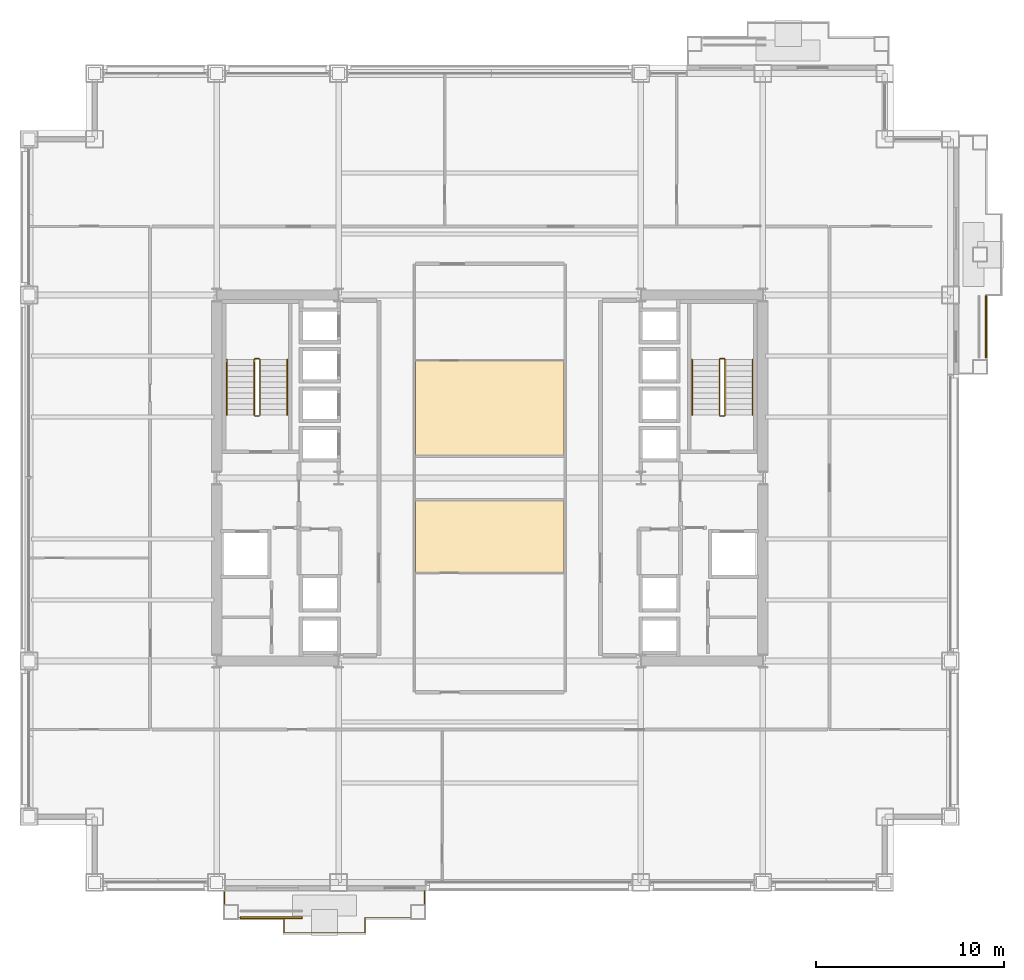
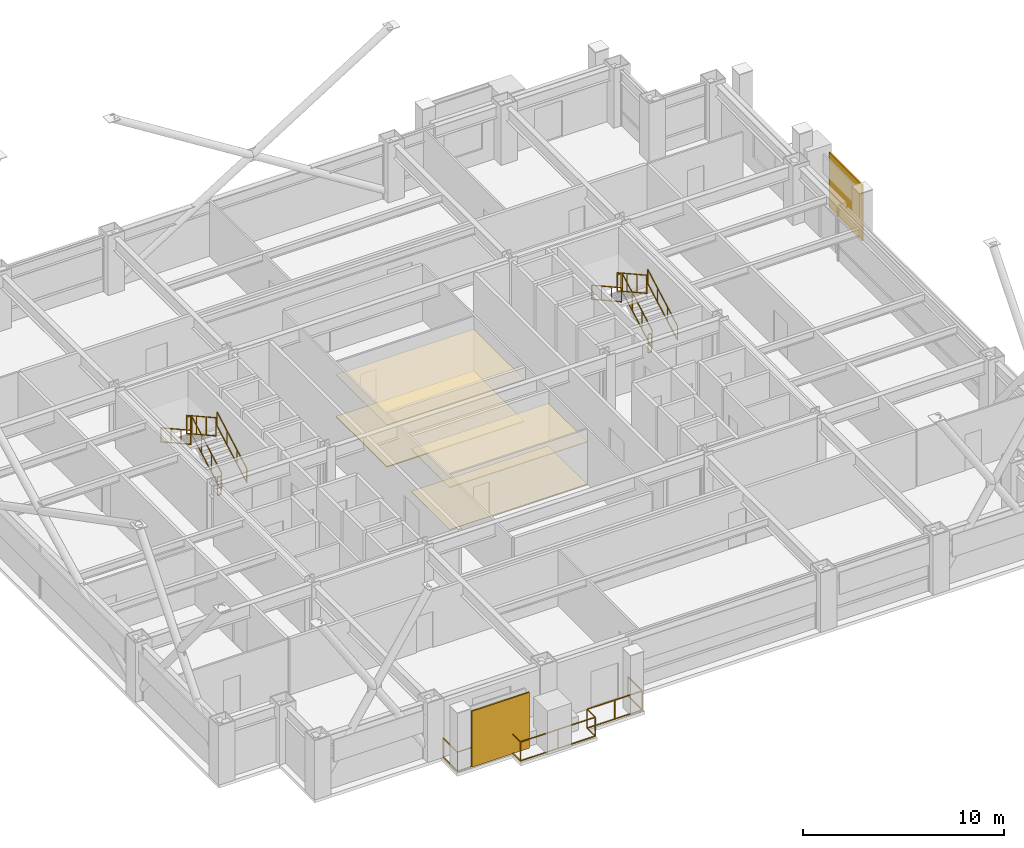
# One storey, part 31 of 33: 13 railings, 4 coverings, 2 shading devices.
"""IFC4 building model written with IfcOpenShell, lengths in metres."""

from ifc_helpers import new_model, si_unit, direction, frame, origin, origin_2d, place, context, subcontext, project, spatial, polyline, rectangle, outline, extrude, material, layer, layer_set, type_object, element, save


model = new_model("IFC4")

# Units and contexts
model_context = context("Model", 3, precision=1e-05, world=origin(), true_north=direction((0.0, 1.0)))
body_context = subcontext(model_context, "Body", "Model", "MODEL_VIEW")
ifc_project = project(units=[si_unit("LENGTHUNIT", "METRE"), si_unit("AREAUNIT", "SQUARE_METRE"), si_unit("VOLUMEUNIT", "CUBIC_METRE"), si_unit("PLANEANGLEUNIT", "RADIAN"), si_unit("MASSUNIT", "GRAM", prefix="KILO")], contexts=[model_context])

# Site, building, storey
site_placement = place(None, origin())
site = spatial("IfcSite", under=ifc_project, at=site_placement, CompositionType="ELEMENT")
building_placement = place(site_placement, origin())
building = spatial("IfcBuilding", under=site, at=building_placement, Name="Brelmoor Portico Tower", CompositionType="ELEMENT")
storey_placement = place(building_placement, frame((0.0, 0.0, 34.800048828125)))
storey = spatial("IfcBuildingStorey", under=building, at=storey_placement, Name="L08", CompositionType="ELEMENT", Elevation=34.800048828125)

# Coverings
ifc_material_1 = material(Name="Powder-Coated Aluminium Acoustic Baffle Ceiling", Category="aluminium")
ifc_layer_1 = layer(ifc_material_1, 0.044921875)
ifc_layer_set_1 = layer_set([ifc_layer_1], Name="Powder-Coated Aluminium Acoustic Baffle Ceiling")
covering_type_1 = type_object("IfcCoveringType", Name="CV-CEIL-BAFFLE-45", PredefinedType="CEILING", material=ifc_layer_set_1)
covering_1_placement = place(storey_placement, frame((0.0, 0.0, 2.550048828125)))
element("IfcCovering", 1, at=covering_1_placement, inside=storey, type_object=covering_type_1, Name="L08 Acoustic Suspended Ceiling 01", PredefinedType="CEILING", context=body_context, shape_type="SweptSolid", body=[
    extrude(outline(polyline([(-3.9599609375, 1.199951171875), (-3.9599609375, 6.260009765625), (3.9599609375, 6.260009765625), (3.9599609375, 1.199951171875), (-3.9599609375, 1.199951171875)])), origin(), (0.0, 0.0, 1.0), 0.044921875),
])
ifc_material_2 = material(Name="Slatted FSC Oak Acoustic Feature Ceiling", Category="timber")
ifc_layer_2 = layer(ifc_material_2, 0.052001953125)
ifc_layer_set_2 = layer_set([ifc_layer_2], Name="Slatted FSC Oak Acoustic Feature Ceiling")
covering_type_2 = type_object("IfcCoveringType", Name="CV-CEIL-TIMBER-52", PredefinedType="CEILING", material=ifc_layer_set_2)
covering_2_placement = place(storey_placement, frame((0.0, 0.0, 2.550048828125)))
element("IfcCovering", 2, at=covering_2_placement, inside=storey, type_object=covering_type_2, Name="L08 Acoustic Suspended Ceiling 02", PredefinedType="CEILING", context=body_context, shape_type="SweptSolid", body=[
    extrude(outline(polyline([(-3.9599609375, -5.06005859375), (-3.9599609375, -1.199951171875), (3.9599609375, -1.199951171875), (3.9599609375, -5.06005859375), (-3.9599609375, -5.06005859375)])), origin(), (0.0, 0.0, 1.0), 0.052001953125),
])
ifc_material_3 = material(Name="Calcium-Sulphate Raised Access Floor Panel", Category="steel")
ifc_layer_3 = layer(ifc_material_3, 0.06005859375)
ifc_layer_set_3 = layer_set([ifc_layer_3], Name="Calcium-Sulphate Raised Access Floor Panel")
covering_type_3 = type_object("IfcCoveringType", Name="CV-FLR-ACCESS-60", PredefinedType="FLOORING", material=ifc_layer_set_3)
covering_3_placement = place(storey_placement, origin())
element("IfcCovering", 3, at=covering_3_placement, inside=storey, type_object=covering_type_3, Name="L08 Architectural Floor Finish 01", PredefinedType="FLOORING", context=body_context, shape_type="SweptSolid", body=[
    extrude(outline(polyline([(-3.9599609375, 1.199951171875), (-3.9599609375, 6.260009765625), (3.9599609375, 6.260009765625), (3.9599609375, 1.199951171875), (-3.9599609375, 1.199951171875)])), origin(), (0.0, 0.0, 1.0), 0.06005859375),
])
ifc_material_4 = material(Name="Solution-Dyed Nylon Acoustic Carpet Tile", Category="textile")
ifc_layer_4 = layer(ifc_material_4, 0.013916015625)
ifc_layer_set_4 = layer_set([ifc_layer_4], Name="Solution-Dyed Nylon Acoustic Carpet Tile")
covering_type_4 = type_object("IfcCoveringType", Name="CV-FLR-CARPET-14", PredefinedType="FLOORING", material=ifc_layer_set_4)
covering_4_placement = place(storey_placement, origin())
element("IfcCovering", 4, at=covering_4_placement, inside=storey, type_object=covering_type_4, Name="L08 Architectural Floor Finish 02", PredefinedType="FLOORING", context=body_context, shape_type="SweptSolid", body=[
    extrude(outline(polyline([(-3.9599609375, -5.06005859375), (-3.9599609375, -1.199951171875), (3.9599609375, -1.199951171875), (3.9599609375, -5.06005859375), (-3.9599609375, -5.06005859375)])), origin(), (0.0, 0.0, 1.0), 0.013916015625),
])

# Railings
ifc_material_5 = material(Name="Perforated Pale Champagne Aluminium Fretwork Guard", Category="aluminium")
railing_type_1 = type_object("IfcRailingType", Name="RL-BALUSTRADE-1200", PredefinedType="BALUSTRADE", material=ifc_material_5)
railing_1_placement = place(storey_placement, frame((-14.1201171875, -22.0, 0.0)))
element("IfcRailing", 5, at=railing_1_placement, inside=storey, type_object=railing_type_1, Name="L08 Tree Balcony Fretwork Balustrade S", PredefinedType="BALUSTRADE", context=body_context, shape_type="SweptSolid", body=[
    extrude(rectangle(XDim=0.048095703125, YDim=0.048095703125, at=origin_2d()), frame((0.0, 0.0, 1.17578125), z_axis=(0.0, -1.0, 0.0), x_axis=(1.0, 0.0, 0.0)), (0.0, 0.0, 1.0), 1.429931640625),
    extrude(rectangle(XDim=0.048095703125, YDim=0.048095703125, at=origin_2d()), frame((0.0, 0.0, 0.02392578125), z_axis=(0.0, -1.0, 0.0), x_axis=(1.0, 0.0, 0.0)), (0.0, 0.0, 1.0), 1.429931640625),
    extrude(rectangle(XDim=0.048095703125, YDim=0.048095703125, at=origin_2d()), frame((0.0, -1.429931640625, 1.17578125), z_axis=(1.0, 0.0, 0.0), x_axis=(0.0, 1.0, 0.0)), (0.0, 0.0, 1.0), 3.170166015625),
    extrude(rectangle(XDim=0.048095703125, YDim=0.048095703125, at=origin_2d()), frame((0.0, -1.429931640625, 0.02392578125), z_axis=(1.0, 0.0, 0.0), x_axis=(0.0, 1.0, 0.0)), (0.0, 0.0, 1.0), 3.170166015625),
    extrude(rectangle(XDim=0.048095703125, YDim=0.048095703125, at=origin_2d()), frame((3.170166015625, -1.429931640625, 1.17578125), z_axis=(0.0, -1.0, 0.0), x_axis=(1.0, 0.0, 0.0)), (0.0, 0.0, 1.0), 0.800048828125),
    extrude(rectangle(XDim=0.048095703125, YDim=0.048095703125, at=origin_2d()), frame((3.170166015625, -1.429931640625, 0.02392578125), z_axis=(0.0, -1.0, 0.0), x_axis=(1.0, 0.0, 0.0)), (0.0, 0.0, 1.0), 0.800048828125),
    extrude(rectangle(XDim=0.048095703125, YDim=0.048095703125, at=origin_2d()), frame((3.170166015625, -2.22998046875, 1.17578125), z_axis=(1.0, 0.0, 0.0), x_axis=(0.0, 1.0, 0.0)), (0.0, 0.0, 1.0), 4.300048828125),
    extrude(rectangle(XDim=0.048095703125, YDim=0.048095703125, at=origin_2d()), frame((3.170166015625, -2.22998046875, 0.02392578125), z_axis=(1.0, 0.0, 0.0), x_axis=(0.0, 1.0, 0.0)), (0.0, 0.0, 1.0), 4.300048828125),
    extrude(rectangle(XDim=0.048095703125, YDim=0.048095703125, at=origin_2d()), frame((7.47021484375, -2.22998046875, 1.17578125), z_axis=(0.0, 1.0, 0.0), x_axis=(-1.0, 0.0, 0.0)), (0.0, 0.0, 1.0), 0.800048828125),
    extrude(rectangle(XDim=0.048095703125, YDim=0.048095703125, at=origin_2d()), frame((7.47021484375, -2.22998046875, 0.02392578125), z_axis=(0.0, 1.0, 0.0), x_axis=(-1.0, 0.0, 0.0)), (0.0, 0.0, 1.0), 0.800048828125),
    extrude(rectangle(XDim=0.048095703125, YDim=0.048095703125, at=origin_2d()), frame((7.47021484375, -1.429931640625, 1.17578125), z_axis=(1.0, 0.0, 0.0), x_axis=(0.0, 1.0, 0.0)), (0.0, 0.0, 1.0), 3.169921875),
    extrude(rectangle(XDim=0.048095703125, YDim=0.048095703125, at=origin_2d()), frame((7.47021484375, -1.429931640625, 0.02392578125), z_axis=(1.0, 0.0, 0.0), x_axis=(0.0, 1.0, 0.0)), (0.0, 0.0, 1.0), 3.169921875),
    extrude(rectangle(XDim=0.048095703125, YDim=0.048095703125, at=origin_2d()), frame((10.64013671875, -1.429931640625, 1.17578125), z_axis=(0.0, 1.0, 0.0), x_axis=(-1.0, 0.0, 0.0)), (0.0, 0.0, 1.0), 1.429931640625),
    extrude(rectangle(XDim=0.048095703125, YDim=0.048095703125, at=origin_2d()), frame((10.64013671875, -1.429931640625, 0.02392578125), z_axis=(0.0, 1.0, 0.0), x_axis=(-1.0, 0.0, 0.0)), (0.0, 0.0, 1.0), 1.429931640625),
    extrude(rectangle(XDim=0.0419921875, YDim=0.0419921875, at=origin_2d()), origin(), (0.0, 0.0, 1.0), 1.15185546875),
    extrude(rectangle(XDim=0.0419921875, YDim=0.0419921875, at=origin_2d()), frame((0.0, -1.429931640625, 0.0)), (0.0, 0.0, 1.0), 1.15185546875),
    extrude(rectangle(XDim=0.0419921875, YDim=0.0419921875, at=origin_2d()), frame((1.5849609375, -1.429931640625, 0.0)), (0.0, 0.0, 1.0), 1.15185546875),
    extrude(rectangle(XDim=0.0419921875, YDim=0.0419921875, at=origin_2d()), frame((3.170166015625, -1.429931640625, 0.0)), (0.0, 0.0, 1.0), 1.15185546875),
    extrude(rectangle(XDim=0.0419921875, YDim=0.0419921875, at=origin_2d()), frame((3.170166015625, -2.22998046875, 0.0)), (0.0, 0.0, 1.0), 1.15185546875),
    extrude(rectangle(XDim=0.0419921875, YDim=0.0419921875, at=origin_2d()), frame((5.3203125, -2.22998046875, 0.0)), (0.0, 0.0, 1.0), 1.15185546875),
    extrude(rectangle(XDim=0.0419921875, YDim=0.0419921875, at=origin_2d()), frame((7.47021484375, -2.22998046875, 0.0)), (0.0, 0.0, 1.0), 1.15185546875),
    extrude(rectangle(XDim=0.0419921875, YDim=0.0419921875, at=origin_2d()), frame((7.47021484375, -1.429931640625, 0.0)), (0.0, 0.0, 1.0), 1.15185546875),
    extrude(rectangle(XDim=0.0419921875, YDim=0.0419921875, at=origin_2d()), frame((9.05517578125, -1.429931640625, 0.0)), (0.0, 0.0, 1.0), 1.15185546875),
    extrude(rectangle(XDim=0.0419921875, YDim=0.0419921875, at=origin_2d()), frame((10.64013671875, -1.429931640625, 0.0)), (0.0, 0.0, 1.0), 1.15185546875),
    extrude(rectangle(XDim=0.0419921875, YDim=0.0419921875, at=origin_2d()), frame((10.64013671875, 0.0, 0.0)), (0.0, 0.0, 1.0), 1.15185546875),
])
ifc_material_6 = material(Name="Painted Tubular Steel Q235B", Category="steel")
railing_type_2 = type_object("IfcRailingType", Name="RL-STAIR-GUARD", PredefinedType="GUARDRAIL", material=ifc_material_6)
railing_2_placement = place(storey_placement, frame((-12.239990234375, 3.35009765625, 0.16357421875)))
element("IfcRailing", 6, at=railing_2_placement, inside=storey, type_object=railing_type_2, Name="L08 ST-W stair guard 1", PredefinedType="GUARDRAIL", context=body_context, shape_type="SweptSolid", body=[
    extrude(rectangle(XDim=0.048095703125, YDim=0.048095703125, at=origin_2d()), frame((0.0, 0.0, 1.1259765625), z_axis=(0.0, 0.874457516365, 0.485102104791), x_axis=(-1.0, 0.0, 0.0)), (0.0, 0.0, 1.0), 3.37353515625),
    extrude(rectangle(XDim=0.048095703125, YDim=0.048095703125, at=origin_2d()), frame((0.0, 0.0, 0.02392578125), z_axis=(0.0, 0.874457516365, 0.485102104791), x_axis=(-1.0, 0.0, 0.0)), (0.0, 0.0, 1.0), 3.37353515625),
    extrude(rectangle(XDim=0.0419921875, YDim=0.0419921875, at=origin_2d()), origin(), (0.0, 0.0, 1.0), 1.101806640625),
    extrude(rectangle(XDim=0.0419921875, YDim=0.0419921875, at=origin_2d()), frame((0.0, 0.9833984375, 0.54541015625)), (0.0, 0.0, 1.0), 1.101806640625),
    extrude(rectangle(XDim=0.0419921875, YDim=0.0419921875, at=origin_2d()), frame((0.0, 1.966552734375, 1.091064453125)), (0.0, 0.0, 1.0), 1.101806640625),
    extrude(rectangle(XDim=0.0419921875, YDim=0.0419921875, at=origin_2d()), frame((0.0, 2.949951171875, 1.636474609375)), (0.0, 0.0, 1.0), 1.101806640625),
])
railing_3_placement = place(storey_placement, frame((-12.2900390625, 6.35009765625, 1.800048828125)))
element("IfcRailing", 7, at=railing_3_placement, inside=storey, type_object=railing_type_2, Name="L08 ST-W stair guard 2", PredefinedType="GUARDRAIL", context=body_context, shape_type="SweptSolid", body=[
    extrude(rectangle(XDim=0.048095703125, YDim=0.048095703125, at=origin_2d()), frame((0.0, 0.0, 1.1259765625), z_axis=(-1.0, 0.0, 0.0), x_axis=(0.0, -1.0, 0.0)), (0.0, 0.0, 1.0), 0.199951171875),
    extrude(rectangle(XDim=0.048095703125, YDim=0.048095703125, at=origin_2d()), frame((0.0, 0.0, 0.02392578125), z_axis=(-1.0, 0.0, 0.0), x_axis=(0.0, -1.0, 0.0)), (0.0, 0.0, 1.0), 0.199951171875),
    extrude(rectangle(XDim=0.0419921875, YDim=0.0419921875, at=origin_2d()), origin(), (0.0, 0.0, 1.0), 1.101806640625),
    extrude(rectangle(XDim=0.0419921875, YDim=0.0419921875, at=origin_2d()), frame((-0.199951171875, 0.0, 0.0)), (0.0, 0.0, 1.0), 1.101806640625),
])
railing_4_placement = place(storey_placement, frame((-12.5400390625, 6.300048828125, 1.963623046875)))
element("IfcRailing", 8, at=railing_4_placement, inside=storey, type_object=railing_type_2, Name="L08 ST-W stair guard 3", PredefinedType="GUARDRAIL", context=body_context, shape_type="SweptSolid", body=[
    extrude(rectangle(XDim=0.048095703125, YDim=0.048095703125, at=origin_2d()), frame((0.0, 0.0, 1.1259765625), z_axis=(0.0, -0.87448821551, 0.485046761595), x_axis=(1.0, 0.0, 0.0)), (0.0, 0.0, 1.0), 3.373291015625),
    extrude(rectangle(XDim=0.048095703125, YDim=0.048095703125, at=origin_2d()), frame((0.0, 0.0, 0.02392578125), z_axis=(0.0, -0.87448821551, 0.485046761595), x_axis=(1.0, 0.0, 0.0)), (0.0, 0.0, 1.0), 3.373291015625),
    extrude(rectangle(XDim=0.0419921875, YDim=0.0419921875, at=origin_2d()), origin(), (0.0, 0.0, 1.0), 1.101806640625),
    extrude(rectangle(XDim=0.0419921875, YDim=0.0419921875, at=origin_2d()), frame((0.0, -0.9833984375, 0.54541015625)), (0.0, 0.0, 1.0), 1.101806640625),
    extrude(rectangle(XDim=0.0419921875, YDim=0.0419921875, at=origin_2d()), frame((0.0, -1.966552734375, 1.0908203125)), (0.0, 0.0, 1.0), 1.101806640625),
    extrude(rectangle(XDim=0.0419921875, YDim=0.0419921875, at=origin_2d()), frame((0.0, -2.949951171875, 1.63623046875)), (0.0, 0.0, 1.0), 1.101806640625),
])
railing_5_placement = place(storey_placement, frame((-12.2900390625, 3.300048828125, 0.0)))
element("IfcRailing", 9, at=railing_5_placement, inside=storey, type_object=railing_type_2, Name="L08 ST-W stair guard 4", PredefinedType="GUARDRAIL", context=body_context, shape_type="SweptSolid", body=[
    extrude(rectangle(XDim=0.048095703125, YDim=0.048095703125, at=origin_2d()), frame((0.0, 0.0, 1.1259765625), z_axis=(-1.0, 0.0, 0.0), x_axis=(0.0, -1.0, 0.0)), (0.0, 0.0, 1.0), 0.199951171875),
    extrude(rectangle(XDim=0.048095703125, YDim=0.048095703125, at=origin_2d()), frame((0.0, 0.0, 0.02392578125), z_axis=(-1.0, 0.0, 0.0), x_axis=(0.0, -1.0, 0.0)), (0.0, 0.0, 1.0), 0.199951171875),
    extrude(rectangle(XDim=0.0419921875, YDim=0.0419921875, at=origin_2d()), origin(), (0.0, 0.0, 1.0), 1.101806640625),
    extrude(rectangle(XDim=0.0419921875, YDim=0.0419921875, at=origin_2d()), frame((-0.199951171875, 0.0, 0.0)), (0.0, 0.0, 1.0), 1.101806640625),
])
railing_6_placement = place(storey_placement, frame((12.5400390625, 3.35009765625, 0.16357421875)))
element("IfcRailing", 10, at=railing_6_placement, inside=storey, type_object=railing_type_2, Name="L08 ST-E stair guard 1", PredefinedType="GUARDRAIL", context=body_context, shape_type="SweptSolid", body=[
    extrude(rectangle(XDim=0.048095703125, YDim=0.048095703125, at=origin_2d()), frame((0.0, 0.0, 1.1259765625), z_axis=(0.0, 0.874457516365, 0.485102104791), x_axis=(-1.0, 0.0, 0.0)), (0.0, 0.0, 1.0), 3.37353515625),
    extrude(rectangle(XDim=0.048095703125, YDim=0.048095703125, at=origin_2d()), frame((0.0, 0.0, 0.02392578125), z_axis=(0.0, 0.874457516365, 0.485102104791), x_axis=(-1.0, 0.0, 0.0)), (0.0, 0.0, 1.0), 3.37353515625),
    extrude(rectangle(XDim=0.0419921875, YDim=0.0419921875, at=origin_2d()), origin(), (0.0, 0.0, 1.0), 1.101806640625),
    extrude(rectangle(XDim=0.0419921875, YDim=0.0419921875, at=origin_2d()), frame((0.0, 0.9833984375, 0.54541015625)), (0.0, 0.0, 1.0), 1.101806640625),
    extrude(rectangle(XDim=0.0419921875, YDim=0.0419921875, at=origin_2d()), frame((0.0, 1.966552734375, 1.091064453125)), (0.0, 0.0, 1.0), 1.101806640625),
    extrude(rectangle(XDim=0.0419921875, YDim=0.0419921875, at=origin_2d()), frame((0.0, 2.949951171875, 1.636474609375)), (0.0, 0.0, 1.0), 1.101806640625),
])
railing_7_placement = place(storey_placement, frame((12.489990234375, 6.35009765625, 1.800048828125)))
element("IfcRailing", 11, at=railing_7_placement, inside=storey, type_object=railing_type_2, Name="L08 ST-E stair guard 2", PredefinedType="GUARDRAIL", context=body_context, shape_type="SweptSolid", body=[
    extrude(rectangle(XDim=0.048095703125, YDim=0.048095703125, at=origin_2d()), frame((0.0, 0.0, 1.1259765625), z_axis=(-1.0, 0.0, 0.0), x_axis=(0.0, -1.0, 0.0)), (0.0, 0.0, 1.0), 0.199951171875),
    extrude(rectangle(XDim=0.048095703125, YDim=0.048095703125, at=origin_2d()), frame((0.0, 0.0, 0.02392578125), z_axis=(-1.0, 0.0, 0.0), x_axis=(0.0, -1.0, 0.0)), (0.0, 0.0, 1.0), 0.199951171875),
    extrude(rectangle(XDim=0.0419921875, YDim=0.0419921875, at=origin_2d()), origin(), (0.0, 0.0, 1.0), 1.101806640625),
    extrude(rectangle(XDim=0.0419921875, YDim=0.0419921875, at=origin_2d()), frame((-0.199951171875, 0.0, 0.0)), (0.0, 0.0, 1.0), 1.101806640625),
])
railing_8_placement = place(storey_placement, frame((12.239990234375, 6.300048828125, 1.963623046875)))
element("IfcRailing", 12, at=railing_8_placement, inside=storey, type_object=railing_type_2, Name="L08 ST-E stair guard 3", PredefinedType="GUARDRAIL", context=body_context, shape_type="SweptSolid", body=[
    extrude(rectangle(XDim=0.048095703125, YDim=0.048095703125, at=origin_2d()), frame((0.0, 0.0, 1.1259765625), z_axis=(0.0, -0.87448821551, 0.485046761595), x_axis=(1.0, 0.0, 0.0)), (0.0, 0.0, 1.0), 3.373291015625),
    extrude(rectangle(XDim=0.048095703125, YDim=0.048095703125, at=origin_2d()), frame((0.0, 0.0, 0.02392578125), z_axis=(0.0, -0.87448821551, 0.485046761595), x_axis=(1.0, 0.0, 0.0)), (0.0, 0.0, 1.0), 3.373291015625),
    extrude(rectangle(XDim=0.0419921875, YDim=0.0419921875, at=origin_2d()), origin(), (0.0, 0.0, 1.0), 1.101806640625),
    extrude(rectangle(XDim=0.0419921875, YDim=0.0419921875, at=origin_2d()), frame((0.0, -0.9833984375, 0.54541015625)), (0.0, 0.0, 1.0), 1.101806640625),
    extrude(rectangle(XDim=0.0419921875, YDim=0.0419921875, at=origin_2d()), frame((0.0, -1.966552734375, 1.0908203125)), (0.0, 0.0, 1.0), 1.101806640625),
    extrude(rectangle(XDim=0.0419921875, YDim=0.0419921875, at=origin_2d()), frame((0.0, -2.949951171875, 1.63623046875)), (0.0, 0.0, 1.0), 1.101806640625),
])
railing_9_placement = place(storey_placement, frame((12.489990234375, 3.300048828125, 0.0)))
element("IfcRailing", 13, at=railing_9_placement, inside=storey, type_object=railing_type_2, Name="L08 ST-E stair guard 4", PredefinedType="GUARDRAIL", context=body_context, shape_type="SweptSolid", body=[
    extrude(rectangle(XDim=0.048095703125, YDim=0.048095703125, at=origin_2d()), frame((0.0, 0.0, 1.1259765625), z_axis=(-1.0, 0.0, 0.0), x_axis=(0.0, -1.0, 0.0)), (0.0, 0.0, 1.0), 0.199951171875),
    extrude(rectangle(XDim=0.048095703125, YDim=0.048095703125, at=origin_2d()), frame((0.0, 0.0, 0.02392578125), z_axis=(-1.0, 0.0, 0.0), x_axis=(0.0, -1.0, 0.0)), (0.0, 0.0, 1.0), 0.199951171875),
    extrude(rectangle(XDim=0.0419921875, YDim=0.0419921875, at=origin_2d()), origin(), (0.0, 0.0, 1.0), 1.101806640625),
    extrude(rectangle(XDim=0.0419921875, YDim=0.0419921875, at=origin_2d()), frame((-0.199951171875, 0.0, 0.0)), (0.0, 0.0, 1.0), 1.101806640625),
])
ifc_material_7 = material(Name="Brushed Stainless Steel 304", Category="steel")
railing_type_3 = type_object("IfcRailingType", Name="RL-STAIR-HANDRAIL", PredefinedType="HANDRAIL", material=ifc_material_7)
railing_10_placement = place(storey_placement, frame((-10.780029296875, 3.35009765625, 0.16357421875)))
element("IfcRailing", 14, at=railing_10_placement, inside=storey, type_object=railing_type_3, Name="L08 ST-W stair handrail 1", PredefinedType="HANDRAIL", context=body_context, shape_type="SweptSolid", body=[
    extrude(rectangle(XDim=0.048095703125, YDim=0.048095703125, at=origin_2d()), frame((0.0, 0.0, 0.8759765625), z_axis=(0.0, 0.874457516365, 0.485102104791), x_axis=(-1.0, 0.0, 0.0)), (0.0, 0.0, 1.0), 3.37353515625),
    extrude(rectangle(XDim=0.048095703125, YDim=0.048095703125, at=origin_2d()), frame((0.0, 0.0, 0.02392578125), z_axis=(0.0, 0.874457516365, 0.485102104791), x_axis=(-1.0, 0.0, 0.0)), (0.0, 0.0, 1.0), 3.37353515625),
    extrude(rectangle(XDim=0.0419921875, YDim=0.0419921875, at=origin_2d()), origin(), (0.0, 0.0, 1.0), 0.851806640625),
    extrude(rectangle(XDim=0.0419921875, YDim=0.0419921875, at=origin_2d()), frame((0.0, 0.9833984375, 0.54541015625)), (0.0, 0.0, 1.0), 0.851806640625),
    extrude(rectangle(XDim=0.0419921875, YDim=0.0419921875, at=origin_2d()), frame((0.0, 1.966552734375, 1.091064453125)), (0.0, 0.0, 1.0), 0.851806640625),
    extrude(rectangle(XDim=0.0419921875, YDim=0.0419921875, at=origin_2d()), frame((0.0, 2.949951171875, 1.636474609375)), (0.0, 0.0, 1.0), 0.851806640625),
])
railing_11_placement = place(storey_placement, frame((-14.0, 6.300048828125, 1.963623046875)))
element("IfcRailing", 15, at=railing_11_placement, inside=storey, type_object=railing_type_3, Name="L08 ST-W stair handrail 2", PredefinedType="HANDRAIL", context=body_context, shape_type="SweptSolid", body=[
    extrude(rectangle(XDim=0.048095703125, YDim=0.048095703125, at=origin_2d()), frame((0.0, 0.0, 0.8759765625), z_axis=(0.0, -0.87448821551, 0.485046761595), x_axis=(1.0, 0.0, 0.0)), (0.0, 0.0, 1.0), 3.373291015625),
    extrude(rectangle(XDim=0.048095703125, YDim=0.048095703125, at=origin_2d()), frame((0.0, 0.0, 0.02392578125), z_axis=(0.0, -0.87448821551, 0.485046761595), x_axis=(1.0, 0.0, 0.0)), (0.0, 0.0, 1.0), 3.373291015625),
    extrude(rectangle(XDim=0.0419921875, YDim=0.0419921875, at=origin_2d()), origin(), (0.0, 0.0, 1.0), 0.851806640625),
    extrude(rectangle(XDim=0.0419921875, YDim=0.0419921875, at=origin_2d()), frame((0.0, -0.9833984375, 0.54541015625)), (0.0, 0.0, 1.0), 0.851806640625),
    extrude(rectangle(XDim=0.0419921875, YDim=0.0419921875, at=origin_2d()), frame((0.0, -1.966552734375, 1.0908203125)), (0.0, 0.0, 1.0), 0.851806640625),
    extrude(rectangle(XDim=0.0419921875, YDim=0.0419921875, at=origin_2d()), frame((0.0, -2.949951171875, 1.63623046875)), (0.0, 0.0, 1.0), 0.851806640625),
])
railing_12_placement = place(storey_placement, frame((14.0, 3.35009765625, 0.16357421875)))
element("IfcRailing", 16, at=railing_12_placement, inside=storey, type_object=railing_type_3, Name="L08 ST-E stair handrail 1", PredefinedType="HANDRAIL", context=body_context, shape_type="SweptSolid", body=[
    extrude(rectangle(XDim=0.048095703125, YDim=0.048095703125, at=origin_2d()), frame((0.0, 0.0, 0.8759765625), z_axis=(0.0, 0.874457516365, 0.485102104791), x_axis=(-1.0, 0.0, 0.0)), (0.0, 0.0, 1.0), 3.37353515625),
    extrude(rectangle(XDim=0.048095703125, YDim=0.048095703125, at=origin_2d()), frame((0.0, 0.0, 0.02392578125), z_axis=(0.0, 0.874457516365, 0.485102104791), x_axis=(-1.0, 0.0, 0.0)), (0.0, 0.0, 1.0), 3.37353515625),
    extrude(rectangle(XDim=0.0419921875, YDim=0.0419921875, at=origin_2d()), origin(), (0.0, 0.0, 1.0), 0.851806640625),
    extrude(rectangle(XDim=0.0419921875, YDim=0.0419921875, at=origin_2d()), frame((0.0, 0.9833984375, 0.54541015625)), (0.0, 0.0, 1.0), 0.851806640625),
    extrude(rectangle(XDim=0.0419921875, YDim=0.0419921875, at=origin_2d()), frame((0.0, 1.966552734375, 1.091064453125)), (0.0, 0.0, 1.0), 0.851806640625),
    extrude(rectangle(XDim=0.0419921875, YDim=0.0419921875, at=origin_2d()), frame((0.0, 2.949951171875, 1.636474609375)), (0.0, 0.0, 1.0), 0.851806640625),
])
railing_13_placement = place(storey_placement, frame((10.780029296875, 6.300048828125, 1.963623046875)))
element("IfcRailing", 17, at=railing_13_placement, inside=storey, type_object=railing_type_3, Name="L08 ST-E stair handrail 2", PredefinedType="HANDRAIL", context=body_context, shape_type="SweptSolid", body=[
    extrude(rectangle(XDim=0.048095703125, YDim=0.048095703125, at=origin_2d()), frame((0.0, 0.0, 0.8759765625), z_axis=(0.0, -0.87448821551, 0.485046761595), x_axis=(1.0, 0.0, 0.0)), (0.0, 0.0, 1.0), 3.373291015625),
    extrude(rectangle(XDim=0.048095703125, YDim=0.048095703125, at=origin_2d()), frame((0.0, 0.0, 0.02392578125), z_axis=(0.0, -0.87448821551, 0.485046761595), x_axis=(1.0, 0.0, 0.0)), (0.0, 0.0, 1.0), 3.373291015625),
    extrude(rectangle(XDim=0.0419921875, YDim=0.0419921875, at=origin_2d()), origin(), (0.0, 0.0, 1.0), 0.851806640625),
    extrude(rectangle(XDim=0.0419921875, YDim=0.0419921875, at=origin_2d()), frame((0.0, -0.9833984375, 0.54541015625)), (0.0, 0.0, 1.0), 0.851806640625),
    extrude(rectangle(XDim=0.0419921875, YDim=0.0419921875, at=origin_2d()), frame((0.0, -1.966552734375, 1.0908203125)), (0.0, 0.0, 1.0), 0.851806640625),
    extrude(rectangle(XDim=0.0419921875, YDim=0.0419921875, at=origin_2d()), frame((0.0, -2.949951171875, 1.63623046875)), (0.0, 0.0, 1.0), 0.851806640625),
])

# Shading devices
ifc_material_8 = material(Name="Powder-Coated Aluminium Shuttered Jalousie", Category="aluminium")
ifc_layer_5 = layer(ifc_material_8, 0.080078125)
ifc_layer_set_5 = layer_set([ifc_layer_5], Name="Powder-Coated Aluminium Shuttered Jalousie")
shading_device_type = type_object("IfcShadingDeviceType", Name="SD-JALOUSIE-LOGGIA", PredefinedType="JALOUSIE", material=ifc_layer_set_5)
for number, where, z_axis, x_axis, name in (
    (18, (-11.64990234375, -23.429931640625, 0.0), (0.0, 0.0, 1.0), (1.0, 0.0, 0.0), "L08 Loggia Shuttered Jalousie S"),
    (19, (26.429931640625, 8.050048828125, 0.0), (0.0, 0.0, 1.0), (0.0, 1.0, 0.0), "L08 Loggia Shuttered Jalousie E"),
):
    element("IfcShadingDevice", number, at=place(storey_placement, frame(where, z_axis=z_axis, x_axis=x_axis)), inside=storey, type_object=shading_device_type, Name=name, PredefinedType="JALOUSIE", context=body_context, shape_type="SweptSolid", body=[
        extrude(rectangle(XDim=3.300048828125, YDim=0.080078125, at=origin_2d()), origin(), (0.0, 0.0, 1.0), 3.39990234375),
    ])

save(model, "model.ifc")
